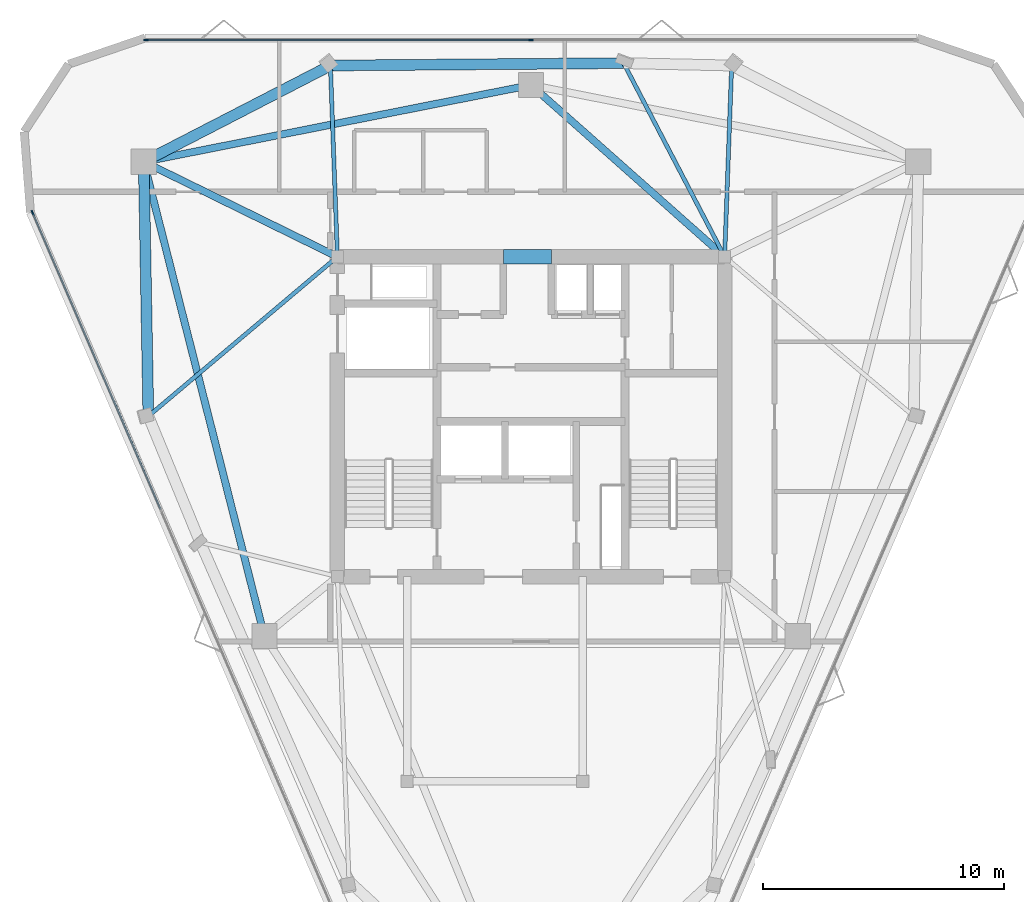
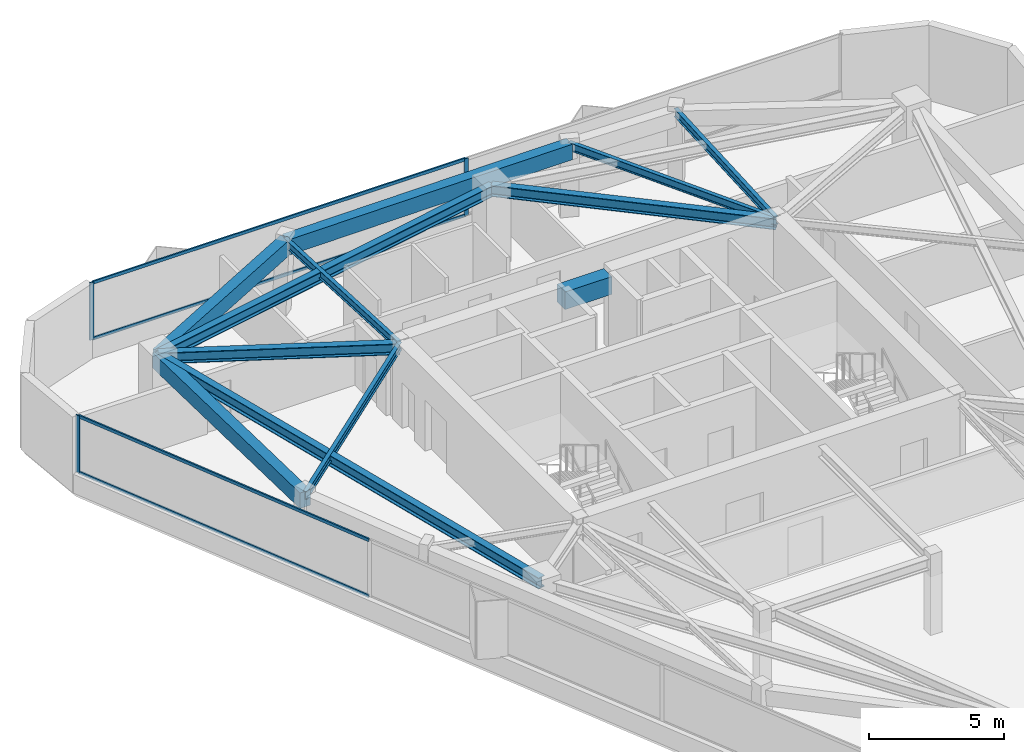
# One storey, part 4 of 9: 12 beams, 7 members, 2 elements without a shape of their own.
"""IFC4 building model written with IfcOpenShell, lengths in metres."""

from ifc_helpers import new_model, si_unit, direction, frame, origin, origin_2d, place, context, subcontext, project, spatial, rectangle, i_section, extrude, material, layer, layer_set, material_profile, profile_set, type_object, element, aggregate, save


model = new_model("IFC4")

# Units and contexts
model_context = context("Model", 3, precision=1e-05, world=origin(), true_north=direction((0.0, 1.0)))
body_context = subcontext(model_context, "Body", "Model", "MODEL_VIEW")
ifc_project = project(units=[si_unit("LENGTHUNIT", "METRE"), si_unit("AREAUNIT", "SQUARE_METRE"), si_unit("VOLUMEUNIT", "CUBIC_METRE"), si_unit("PLANEANGLEUNIT", "RADIAN"), si_unit("MASSUNIT", "GRAM", prefix="KILO")], contexts=[model_context])

# Site, building, storey
site_placement = place(None, origin())
site = spatial("IfcSite", under=ifc_project, at=site_placement, CompositionType="ELEMENT")
building_placement = place(site_placement, origin())
building = spatial("IfcBuilding", under=site, at=building_placement, Name="Talyreon Biosciences Tower", CompositionType="ELEMENT")
storey_placement = place(building_placement, frame((0.0, 0.0, 291.10009765625)))
storey = spatial("IfcBuildingStorey", under=building, at=storey_placement, Name="L77", CompositionType="ELEMENT", Elevation=291.10009765625)

# Curtain wall, member
ifc_material_1 = material(Name="Thermally broken aluminium and low-E glazing", Category="aluminium")
ifc_layer = layer(ifc_material_1, 0.175048828125)
ifc_layer_set = layer_set([ifc_layer], Name="Thermally broken aluminium and low-E glazing")
curtain_wall_type = type_object("IfcCurtainWallType", Name="CurtainWall_Zone5CompLab", PredefinedType="NOTDEFINED", material=ifc_layer_set)
curtain_wall_1_placement = place(storey_placement, origin())
curtain_wall_1 = element("IfcCurtainWall", 1, at=curtain_wall_1_placement, inside=storey, type_object=curtain_wall_type, Name="L77 Unitised Curtain Wall FCW-L77-00", PredefinedType="NOTDEFINED")
ifc_material_2 = material(Name="Anodised thermally broken aluminium", Category="aluminium")
ifc_material_profile_1 = material_profile(ifc_material_2, rectangle(XDim=0.06494140625, YDim=0.179931640625, at=origin_2d()), Name="ALUM MULLION 65x180")
ifc_profile_set_1 = profile_set([ifc_material_profile_1], Name="Anodised thermally broken aluminium")
member_type_1 = type_object("IfcMemberType", Name="CWMullion_65x180", PredefinedType="MULLION", material=ifc_profile_set_1)
member_1_placement = place(storey_placement, frame((45.26953125, 76.4921875, 0.809814453125), z_axis=(0.0, 0.0, 1.0), x_axis=(-0.918187314575, -0.396146507437, 0.0)))
member_1 = element("IfcMember", 2, at=member_1_placement, type_object=member_type_1, Name="CW6 mullion 4", PredefinedType="MULLION", context=body_context, shape_type="SweptSolid", body=[
    extrude(rectangle(XDim=0.06494140625, YDim=0.179931640625, at=origin_2d()), origin(), (0.0, 0.0, 1.0), 2.590087890625),
])

# Curtain wall, members
curtain_wall_2_placement = place(storey_placement, origin())
curtain_wall_2 = element("IfcCurtainWall", 3, at=curtain_wall_2_placement, inside=storey, type_object=curtain_wall_type, Name="L77 Unitised Curtain Wall FCW-L77-04", PredefinedType="NOTDEFINED")
member_2_placement = place(storey_placement, frame((49.990234375, 83.67041015625, 0.809814453125), z_axis=(0.0, 0.0, 1.0), x_axis=(0.0, 1.0, 0.0)))
member_2 = element("IfcMember", 4, at=member_2_placement, type_object=member_type_1, Name="CW6 mullion 1", PredefinedType="MULLION", context=body_context, shape_type="SweptSolid", body=[
    extrude(rectangle(XDim=0.06494140625, YDim=0.179931640625, at=origin_2d()), origin(), (0.0, 0.0, 1.0), 2.590087890625),
])
member_3_placement = place(storey_placement, frame((66.0, 83.67041015625, 0.809814453125), z_axis=(0.0, 0.0, 1.0), x_axis=(0.0, 1.0, 0.0)))
member_3 = element("IfcMember", 5, at=member_3_placement, type_object=member_type_1, Name="CW6 mullion 2", PredefinedType="MULLION", context=body_context, shape_type="SweptSolid", body=[
    extrude(rectangle(XDim=0.06494140625, YDim=0.179931640625, at=origin_2d()), origin(), (0.0, 0.0, 1.0), 2.590087890625),
])

# Member
ifc_material_profile_2 = material_profile(ifc_material_2, rectangle(XDim=0.06494140625, YDim=0.139892578125, at=origin_2d()), Name="ALUM TRANSOM 65x140")
ifc_profile_set_2 = profile_set([ifc_material_profile_2], Name="Anodised thermally broken aluminium")
member_type_2 = type_object("IfcMemberType", Name="CWTransom_65x140", PredefinedType="USERDEFINED", material=ifc_profile_set_2)
member_4_placement = place(storey_placement, frame((50.591064453125, 64.15771484375, 0.84228515625), z_axis=(-0.396134480122, 0.918192503595, 0.0), x_axis=(-0.918192503595, -0.396134480122, 0.0)))
member_4 = element("IfcMember", 6, at=member_4_placement, type_object=member_type_2, Name="CW6 transom 3.1", ObjectType="TRANSOM", PredefinedType="USERDEFINED", context=body_context, shape_type="SweptSolid", body=[
    extrude(rectangle(XDim=0.06494140625, YDim=0.139892578125, at=origin_2d()), origin(), (0.0, 0.0, 1.0), 13.40087890625),
])

member_5_placement = place(storey_placement, frame((50.591064453125, 64.15771484375, 3.367431640625), z_axis=(-0.396134480122, 0.918192503595, 0.0), x_axis=(-0.918192503595, -0.396134480122, 0.0)))
member_5 = element("IfcMember", 7, at=member_5_placement, type_object=member_type_2, Name="CW6 transom 3.2", ObjectType="TRANSOM", PredefinedType="USERDEFINED", context=body_context, shape_type="SweptSolid", body=[
    extrude(rectangle(XDim=0.06494140625, YDim=0.139892578125, at=origin_2d()), origin(), (0.0, 0.0, 1.0), 13.40087890625),
])

aggregate(curtain_wall_1, [member_1, member_4, member_5])

member_6_placement = place(storey_placement, frame((50.022705078125, 83.67041015625, 0.84228515625), z_axis=(1.0, 0.0, 0.0), x_axis=(0.0, 1.0, 0.0)))
member_6 = element("IfcMember", 8, at=member_6_placement, type_object=member_type_2, Name="CW6 transom 1.1", ObjectType="TRANSOM", PredefinedType="USERDEFINED", context=body_context, shape_type="SweptSolid", body=[
    extrude(rectangle(XDim=0.06494140625, YDim=0.139892578125, at=origin_2d()), origin(), (0.0, 0.0, 1.0), 15.94482421875),
])

member_7_placement = place(storey_placement, frame((50.022705078125, 83.67041015625, 3.367431640625), z_axis=(1.0, 0.0, 0.0), x_axis=(0.0, 1.0, 0.0)))
member_7 = element("IfcMember", 9, at=member_7_placement, type_object=member_type_2, Name="CW6 transom 1.2", ObjectType="TRANSOM", PredefinedType="USERDEFINED", context=body_context, shape_type="SweptSolid", body=[
    extrude(rectangle(XDim=0.06494140625, YDim=0.139892578125, at=origin_2d()), origin(), (0.0, 0.0, 1.0), 15.94482421875),
])

aggregate(curtain_wall_2, [member_2, member_3, member_6, member_7])

# Beams
ifc_material_3 = material(Name="Concrete C50/60", Category="concrete")
ifc_material_profile_3 = material_profile(ifc_material_3, rectangle(XDim=0.60009765625, YDim=0.800048828125, at=origin_2d()), Name="RCB 600x800")
ifc_profile_set_3 = profile_set([ifc_material_profile_3], Name="Concrete C50/60")
beam_type_1 = type_object("IfcBeamType", Name="CoreCouplingLintel_600x800", PredefinedType="LINTEL", material=ifc_profile_set_3)
beam_1_placement = place(storey_placement, frame((64.85009765625, 74.64990234375, 3.0), z_axis=(1.0, 0.0, 0.0), x_axis=(0.0, 1.0, 0.0)))
element("IfcBeam", 10, at=beam_1_placement, inside=storey, type_object=beam_type_1, Name="L77 Core Coupling Lintel", PredefinedType="LINTEL", context=body_context, shape_type="SweptSolid", body=[
    extrude(rectangle(XDim=0.60009765625, YDim=0.800048828125, at=origin_2d()), origin(), (0.0, 0.0, 1.0), 2.0),
])
ifc_material_4 = material(Name="Precast concrete C45/55", Category="concrete")
ifc_material_profile_4 = material_profile(ifc_material_4, rectangle(XDim=0.449951171875, YDim=0.699951171875, at=origin_2d()), Name="RCB 450x700")
ifc_profile_set_4 = profile_set([ifc_material_profile_4], Name="Precast concrete C45/55")
beam_type_2 = type_object("IfcBeamType", Name="ExpressedSpandrel_450x700", PredefinedType="SPANDREL", material=ifc_profile_set_4)
beam_2_placement = place(storey_placement, frame((69.85009765625, 82.7001953125, 3.0498046875), z_axis=(-0.999966463704, -0.008189717128, 0.0), x_axis=(0.008189717128, -0.999966463704, 0.0)))
element("IfcBeam", 11, at=beam_2_placement, inside=storey, type_object=beam_type_2, Name="L77 Expressed Horizontal Concrete Spandrel 07", PredefinedType="SPANDREL", context=body_context, shape_type="SweptSolid", body=[
    extrude(rectangle(XDim=0.449951171875, YDim=0.699951171875, at=origin_2d()), origin(), (0.0, 0.0, 1.0), 12.192626953125),
])
beam_3_placement = place(storey_placement, frame((57.657958984375, 82.600341796875, 3.0498046875), z_axis=(-0.888787862176, -0.458318814853, 0.0), x_axis=(0.458318814853, -0.888787862176, 0.0)))
element("IfcBeam", 12, at=beam_3_placement, inside=storey, type_object=beam_type_2, Name="L77 Expressed Horizontal Concrete Spandrel 08", PredefinedType="SPANDREL", context=body_context, shape_type="SweptSolid", body=[
    extrude(rectangle(XDim=0.449951171875, YDim=0.699951171875, at=origin_2d()), origin(), (0.0, 0.0, 1.0), 8.731201171875),
])
beam_4_placement = place(storey_placement, frame((49.897705078125, 78.5986328125, 3.0498046875), z_axis=(0.018094078076, -0.999836288769, 0.0), x_axis=(0.999836288769, 0.018094078076, 0.0)))
element("IfcBeam", 13, at=beam_4_placement, inside=storey, type_object=beam_type_2, Name="L77 Expressed Horizontal Concrete Spandrel 09", PredefinedType="SPANDREL", context=body_context, shape_type="SweptSolid", body=[
    extrude(rectangle(XDim=0.449951171875, YDim=0.699951171875, at=origin_2d()), origin(), (0.0, 0.0, 1.0), 10.578369140625),
])
ifc_material_5 = material(Name="Steel SM355", Category="steel")
ifc_material_profile_5 = material_profile(ifc_material_5, i_section(OverallWidth=0.300048828125, OverallDepth=0.5, WebThickness=0.014404296875, FlangeThickness=0.028076171875, FilletRadius=0.027099609375, at=origin_2d()), Name="HE500B")
ifc_profile_set_5 = profile_set([ifc_material_profile_5], Name="Steel SM355")
beam_type_3 = type_object("IfcBeamType", Name="SteelBeam_HE500B", PredefinedType="BEAM", material=ifc_profile_set_5)
beam_5_placement = place(storey_placement, frame((66.0, 81.788818359375, 3.14990234375), z_axis=(-0.980933730698, -0.194342522311, 0.0), x_axis=(0.194342522311, -0.980933730698, 0.0)))
element("IfcBeam", 14, at=beam_5_placement, inside=storey, type_object=beam_type_3, Name="L77 Mega-Ring Girder 4", PredefinedType="BEAM", context=body_context, shape_type="SweptSolid", body=[
    extrude(i_section(OverallWidth=0.300048828125, OverallDepth=0.5, WebThickness=0.014404296875, FlangeThickness=0.028076171875, FilletRadius=0.027099609375, at=origin_2d()), origin(), (0.0, 0.0, 1.0), 16.415283203125),
])
beam_6_placement = place(storey_placement, frame((49.897705078125, 78.5986328125, 3.14990234375), z_axis=(0.246537082299, -0.969133358755, 0.0), x_axis=(0.969133358755, 0.246537082299, 0.0)))
element("IfcBeam", 15, at=beam_6_placement, inside=storey, type_object=beam_type_3, Name="L77 Mega-Ring Girder 5", PredefinedType="BEAM", context=body_context, shape_type="SweptSolid", body=[
    extrude(i_section(OverallWidth=0.300048828125, OverallDepth=0.5, WebThickness=0.014404296875, FlangeThickness=0.028076171875, FilletRadius=0.027099609375, at=origin_2d()), origin(), (0.0, 0.0, 1.0), 20.34619140625),
])
beam_7_placement = place(storey_placement, frame((74.050048828125, 74.64990234375, 3.14990234375), z_axis=(-0.748178733955, 0.663497235908, 0.0), x_axis=(-0.663497235908, -0.748178733955, 0.0)))
element("IfcBeam", 16, at=beam_7_placement, inside=storey, type_object=beam_type_3, Name="L77 Radial Primary Girder 4", PredefinedType="BEAM", context=body_context, shape_type="SweptSolid", body=[
    extrude(i_section(OverallWidth=0.300048828125, OverallDepth=0.5, WebThickness=0.014404296875, FlangeThickness=0.028076171875, FilletRadius=0.027099609375, at=origin_2d()), origin(), (0.0, 0.0, 1.0), 10.759521484375),
])
beam_8_placement = place(storey_placement, frame((57.949951171875, 74.64990234375, 3.14990234375), z_axis=(-0.897852360314, 0.440296648952, 0.0), x_axis=(-0.440296648952, -0.897852360314, 0.0)))
element("IfcBeam", 17, at=beam_8_placement, inside=storey, type_object=beam_type_3, Name="L77 Radial Primary Girder 5", PredefinedType="BEAM", context=body_context, shape_type="SweptSolid", body=[
    extrude(i_section(OverallWidth=0.300048828125, OverallDepth=0.5, WebThickness=0.014404296875, FlangeThickness=0.028076171875, FilletRadius=0.027099609375, at=origin_2d()), origin(), (0.0, 0.0, 1.0), 8.96826171875),
])
ifc_material_profile_6 = material_profile(ifc_material_5, i_section(OverallWidth=0.169921875, OverallDepth=0.360107421875, WebThickness=0.008056640625, FlangeThickness=0.0126953125, FilletRadius=0.01806640625, at=origin_2d()), Name="IPE360")
ifc_profile_set_6 = profile_set([ifc_material_profile_6], Name="Steel SM355")
beam_type_4 = type_object("IfcBeamType", Name="SteelJoist_IPE360", PredefinedType="JOIST", material=ifc_profile_set_6)
beam_9_placement = place(storey_placement, frame((74.050048828125, 74.64990234375, 3.219970703125), z_axis=(0.036701802831, 0.999326261873, 0.0), x_axis=(-0.999326261873, 0.036701802831, 0.0)))
element("IfcBeam", 18, at=beam_9_placement, inside=storey, type_object=beam_type_4, Name="L77 Radial Composite Floor Joist PC-N1", PredefinedType="JOIST", context=body_context, shape_type="SweptSolid", body=[
    extrude(i_section(OverallWidth=0.169921875, OverallDepth=0.360107421875, WebThickness=0.008056640625, FlangeThickness=0.0126953125, FilletRadius=0.01806640625, at=origin_2d()), origin(), (0.0, 0.0, 1.0), 7.955810546875),
])
beam_10_placement = place(storey_placement, frame((74.050048828125, 74.64990234375, 3.219970703125), z_axis=(-0.4625485476, 0.88659395504, 0.0), x_axis=(-0.88659395504, -0.4625485476, 0.0)))
element("IfcBeam", 19, at=beam_10_placement, inside=storey, type_object=beam_type_4, Name="L77 Radial Composite Floor Joist PL-N", PredefinedType="JOIST", context=body_context, shape_type="SweptSolid", body=[
    extrude(i_section(OverallWidth=0.169921875, OverallDepth=0.360107421875, WebThickness=0.008056640625, FlangeThickness=0.0126953125, FilletRadius=0.01806640625, at=origin_2d()), origin(), (0.0, 0.0, 1.0), 9.080078125),
])
beam_11_placement = place(storey_placement, frame((57.949951171875, 74.64990234375, 3.219970703125), z_axis=(-0.036701802831, 0.999326261873, 0.0), x_axis=(-0.999326261873, -0.036701802831, 0.0)))
element("IfcBeam", 20, at=beam_11_placement, inside=storey, type_object=beam_type_4, Name="L77 Radial Composite Floor Joist PC-N2", PredefinedType="JOIST", context=body_context, shape_type="SweptSolid", body=[
    extrude(i_section(OverallWidth=0.169921875, OverallDepth=0.360107421875, WebThickness=0.008056640625, FlangeThickness=0.0126953125, FilletRadius=0.01806640625, at=origin_2d()), origin(), (0.0, 0.0, 1.0), 7.955810546875),
])
beam_12_placement = place(storey_placement, frame((57.949951171875, 74.64990234375, 3.219970703125), z_axis=(-0.764514521829, -0.644606504709, 0.0), x_axis=(0.644606504709, -0.764514521829, 0.0)))
element("IfcBeam", 21, at=beam_12_placement, inside=storey, type_object=beam_type_4, Name="L77 Radial Composite Floor Joist PC-SW1", PredefinedType="JOIST", context=body_context, shape_type="SweptSolid", body=[
    extrude(i_section(OverallWidth=0.169921875, OverallDepth=0.360107421875, WebThickness=0.008056640625, FlangeThickness=0.0126953125, FilletRadius=0.01806640625, at=origin_2d()), origin(), (0.0, 0.0, 1.0), 10.2822265625),
])

save(model, "model.ifc")
